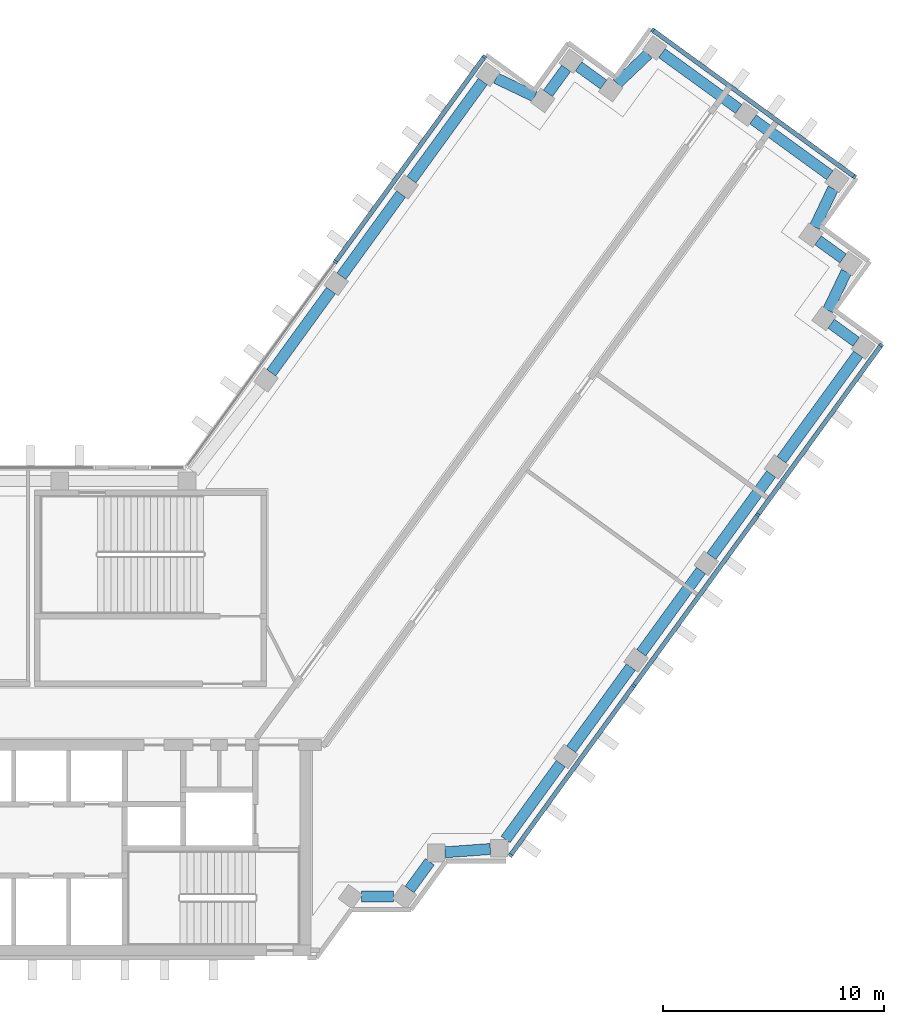
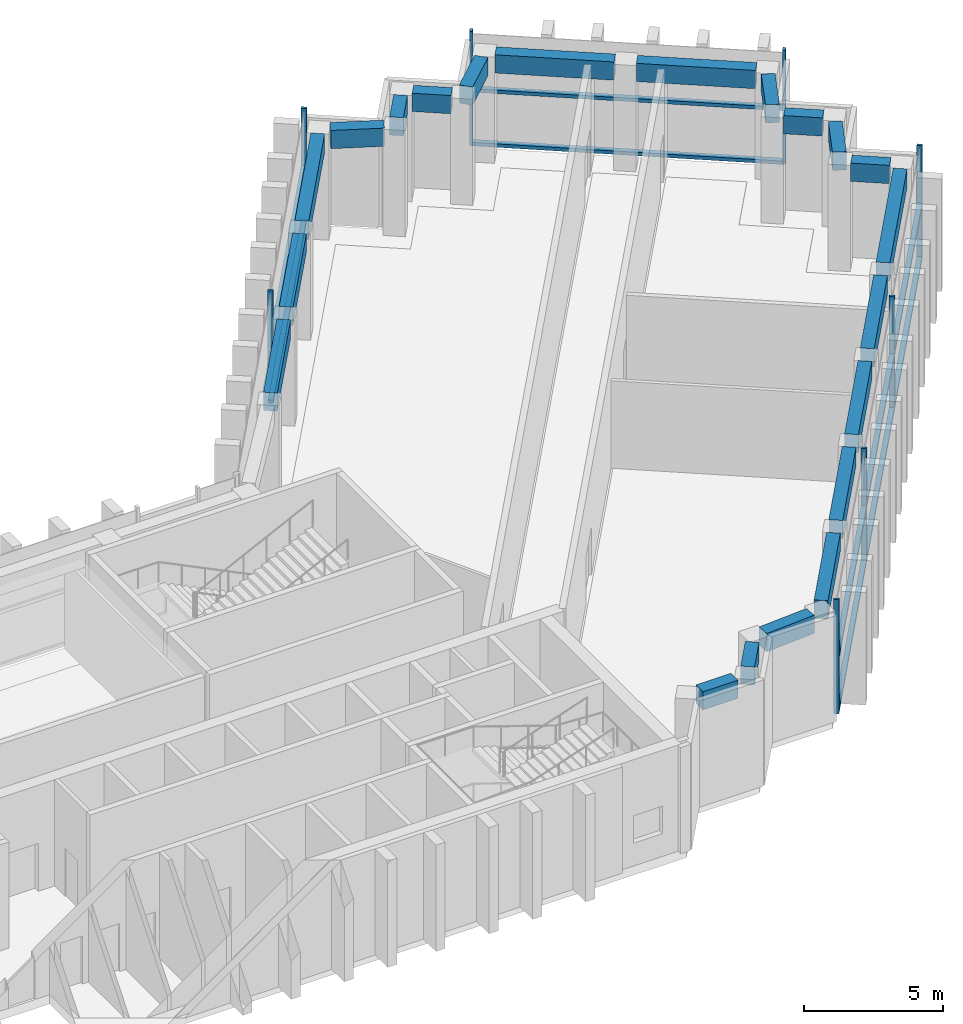
# One storey, part 5 of 14: 21 beams, 18 members, 3 elements without a shape of their own.
"""IFC4 building model written with IfcOpenShell, lengths in metres."""

from ifc_helpers import new_model, si_unit, direction, frame, origin, origin_2d, place, context, subcontext, project, spatial, rectangle, extrude, material, material_profile, profile_set, type_object, element, aggregate, save


model = new_model("IFC4")

# Units and contexts
model_context = context("Model", 3, precision=1e-05, world=origin(), true_north=direction((0.0, 1.0)))
body_context = subcontext(model_context, "Body", "Model", "MODEL_VIEW")
ifc_project = project(units=[si_unit("LENGTHUNIT", "METRE"), si_unit("AREAUNIT", "SQUARE_METRE"), si_unit("VOLUMEUNIT", "CUBIC_METRE"), si_unit("PLANEANGLEUNIT", "RADIAN"), si_unit("MASSUNIT", "GRAM", prefix="KILO")], contexts=[model_context])

# Site, building, storey
site_placement = place(None, origin())
site = spatial("IfcSite", under=ifc_project, at=site_placement, CompositionType="ELEMENT")
building_placement = place(site_placement, origin())
building = spatial("IfcBuilding", under=site, at=building_placement, Name="Quipu Civic Tower", CompositionType="ELEMENT")
storey_placement = place(building_placement, frame((0.0, 0.0, 139.0)))
storey = spatial("IfcBuildingStorey", under=building, at=storey_placement, Name="L32", CompositionType="ELEMENT", Elevation=139.0)

# Curtain wall, members
ifc_material_1 = material(Name="Insulated glass unit", Category="glass")
curtain_wall_type = type_object("IfcCurtainWallType", Name="Sky lobby and refuge curtain wall CW5", PredefinedType="NOTDEFINED", material=ifc_material_1)
curtain_wall_1_placement = place(storey_placement, origin())
curtain_wall_1 = element("IfcCurtainWall", 1, at=curtain_wall_1_placement, inside=storey, type_object=curtain_wall_type, Name="Sky lobby and refuge curtain wall CW5 L32 run 23", PredefinedType="NOTDEFINED")
ifc_material_2 = material(Name="Anodised aluminium", Category="aluminium")
ifc_material_profile_1 = material_profile(ifc_material_2, rectangle(XDim=0.199951171875, YDim=0.110107421875, at=origin_2d()), Name="RECT 200x110")
ifc_profile_set_1 = profile_set([ifc_material_profile_1], Name="Anodised aluminium")
member_type_1 = type_object("IfcMemberType", Name="Mullion CW5", PredefinedType="MULLION", material=ifc_profile_set_1)
member_1_placement = place(storey_placement, frame((29.038330078125, -6.4443359375, 0.074951171875), z_axis=(0.0, 0.0, 1.0), x_axis=(-0.80901667469, 0.5877856923, 0.0)))
member_1 = element("IfcMember", 2, at=member_1_placement, type_object=member_type_1, Name="CW5 mullion 1", PredefinedType="MULLION", context=body_context, shape_type="SweptSolid", body=[
    extrude(rectangle(XDim=0.199951171875, YDim=0.110107421875, at=origin_2d()), origin(), (0.0, 0.0, 1.0), 5.0),
])
member_2_placement = place(storey_placement, frame((34.620361328125, 1.23876953125, 0.074951171875), z_axis=(0.0, 0.0, 1.0), x_axis=(-0.80901667469, 0.5877856923, 0.0)))
member_2 = element("IfcMember", 3, at=member_2_placement, type_object=member_type_1, Name="CW5 mullion 2", PredefinedType="MULLION", context=body_context, shape_type="SweptSolid", body=[
    extrude(rectangle(XDim=0.199951171875, YDim=0.110107421875, at=origin_2d()), origin(), (0.0, 0.0, 1.0), 5.0),
])
member_3_placement = place(storey_placement, frame((40.23486328125, 8.966552734375, 0.074951171875), z_axis=(0.0, 0.0, 1.0), x_axis=(-0.80901667469, 0.5877856923, 0.0)))
member_3 = element("IfcMember", 4, at=member_3_placement, type_object=member_type_1, Name="CW5 mullion 3", PredefinedType="MULLION", context=body_context, shape_type="SweptSolid", body=[
    extrude(rectangle(XDim=0.199951171875, YDim=0.110107421875, at=origin_2d()), origin(), (0.0, 0.0, 1.0), 5.0),
])
member_4_placement = place(storey_placement, frame((45.817138671875, 16.64990234375, 0.074951171875), z_axis=(0.0, 0.0, 1.0), x_axis=(-0.80901667469, 0.5877856923, 0.0)))
member_4 = element("IfcMember", 5, at=member_4_placement, type_object=member_type_1, Name="CW5 mullion 4", PredefinedType="MULLION", context=body_context, shape_type="SweptSolid", body=[
    extrude(rectangle(XDim=0.199951171875, YDim=0.110107421875, at=origin_2d()), origin(), (0.0, 0.0, 1.0), 5.0),
])

curtain_wall_2_placement = place(storey_placement, origin())
curtain_wall_2 = element("IfcCurtainWall", 6, at=curtain_wall_2_placement, inside=storey, type_object=curtain_wall_type, Name="Sky lobby and refuge curtain wall CW5 L32 run 28", PredefinedType="NOTDEFINED")
member_5_placement = place(storey_placement, frame((44.6103515625, 24.26953125, 0.074951171875), z_axis=(0.0, 0.0, 1.0), x_axis=(-0.587787753918, -0.809015176832, 0.0)))
member_5 = element("IfcMember", 7, at=member_5_placement, type_object=member_type_1, Name="CW5 mullion 1", PredefinedType="MULLION", context=body_context, shape_type="SweptSolid", body=[
    extrude(rectangle(XDim=0.199951171875, YDim=0.110107421875, at=origin_2d()), origin(), (0.0, 0.0, 1.0), 5.0),
])
member_6_placement = place(storey_placement, frame((35.4765625, 30.905517578125, 0.074951171875), z_axis=(0.0, 0.0, 1.0), x_axis=(-0.587787753918, -0.809015176832, 0.0)))
member_6 = element("IfcMember", 8, at=member_6_placement, type_object=member_type_1, Name="CW5 mullion 2", PredefinedType="MULLION", context=body_context, shape_type="SweptSolid", body=[
    extrude(rectangle(XDim=0.199951171875, YDim=0.110107421875, at=origin_2d()), origin(), (0.0, 0.0, 1.0), 5.0),
])

curtain_wall_3_placement = place(storey_placement, origin())
curtain_wall_3 = element("IfcCurtainWall", 9, at=curtain_wall_3_placement, inside=storey, type_object=curtain_wall_type, Name="Sky lobby and refuge curtain wall CW5 L32 run 33", PredefinedType="NOTDEFINED")
member_7_placement = place(storey_placement, frame((27.857177734375, 29.69873046875, 0.074951171875), z_axis=(0.0, 0.0, 1.0), x_axis=(0.809014469803, -0.587788727052, 0.0)))
member_7 = element("IfcMember", 10, at=member_7_placement, type_object=member_type_1, Name="CW5 mullion 1", PredefinedType="MULLION", context=body_context, shape_type="SweptSolid", body=[
    extrude(rectangle(XDim=0.199951171875, YDim=0.110107421875, at=origin_2d()), origin(), (0.0, 0.0, 1.0), 5.0),
])
member_8_placement = place(storey_placement, frame((21.11669921875, 20.421630859375, 0.074951171875), z_axis=(0.0, 0.0, 1.0), x_axis=(0.809014469803, -0.587788727052, 0.0)))
member_8 = element("IfcMember", 11, at=member_8_placement, type_object=member_type_1, Name="CW5 mullion 2", PredefinedType="MULLION", context=body_context, shape_type="SweptSolid", body=[
    extrude(rectangle(XDim=0.199951171875, YDim=0.110107421875, at=origin_2d()), origin(), (0.0, 0.0, 1.0), 5.0),
])

# Beams
ifc_material_3 = material(Name="Concrete C50/60", Category="concrete")
ifc_material_profile_2 = material_profile(ifc_material_3, rectangle(XDim=0.5, YDim=0.800048828125, at=origin_2d()), Name="RC500x800")
ifc_profile_set_2 = profile_set([ifc_material_profile_2], Name="Concrete C50/60")
beam_type = type_object("IfcBeamType", Name="Spandrel beam RC 500x800 C50/60", PredefinedType="SPANDREL", material=ifc_profile_set_2)
beam_1_placement = place(storey_placement, frame((22.2861328125, -8.31494140625, 4.25), z_axis=(1.0, 0.0, 0.0), x_axis=(0.0, 1.0, 0.0)))
element("IfcBeam", 12, at=beam_1_placement, inside=storey, type_object=beam_type, Name="Spandrel beam L32 J-Eo.1 to J-Eo.2", PredefinedType="SPANDREL", context=body_context, shape_type="SweptSolid", body=[
    extrude(rectangle(XDim=0.5, YDim=0.800048828125, at=origin_2d()), origin(), (0.0, 0.0, 1.0), 1.454345703125),
])
beam_2_placement = place(storey_placement, frame((24.470458984375, -7.991455078125, 4.25), z_axis=(0.588405601119, 0.808565920981, 0.0), x_axis=(-0.808565920981, 0.588405601119, 0.0)))
element("IfcBeam", 13, at=beam_2_placement, inside=storey, type_object=beam_type, Name="Spandrel beam L32 J-Eo.2 to J-Eo.3", PredefinedType="SPANDREL", context=body_context, shape_type="SweptSolid", body=[
    extrude(rectangle(XDim=0.5, YDim=0.800048828125, at=origin_2d()), origin(), (0.0, 0.0, 1.0), 1.55126953125),
])
beam_3_placement = place(storey_placement, frame((26.074462890625, -6.307861328125, 4.25), z_axis=(0.997372997143, 0.072436900614, 0.0), x_axis=(-0.072436900614, 0.997372997143, 0.0)))
element("IfcBeam", 14, at=beam_3_placement, inside=storey, type_object=beam_type, Name="Spandrel beam L32 J-Eo.3 to J-Eo.4", PredefinedType="SPANDREL", context=body_context, shape_type="SweptSolid", body=[
    extrude(rectangle(XDim=0.5, YDim=0.800048828125, at=origin_2d()), origin(), (0.0, 0.0, 1.0), 2.055908203125),
])
beam_4_placement = place(storey_placement, frame((28.815673828125, -5.72998046875, 4.25), z_axis=(0.58776850526, 0.809029161541, 0.0), x_axis=(-0.809029161541, 0.58776850526, 0.0)))
element("IfcBeam", 15, at=beam_4_placement, inside=storey, type_object=beam_type, Name="Spandrel beam L32 J-Eo.4 to E-OUT-01", PredefinedType="SPANDREL", context=body_context, shape_type="SweptSolid", body=[
    extrude(rectangle(XDim=0.5, YDim=0.800048828125, at=origin_2d()), origin(), (0.0, 0.0, 1.0), 4.249267578125),
])
beam_5_placement = place(storey_placement, frame((31.783447265625, -1.64501953125, 4.25), z_axis=(0.587796098864, 0.809009113768, 0.0), x_axis=(-0.809009113768, 0.587796098864, 0.0)))
element("IfcBeam", 16, at=beam_5_placement, inside=storey, type_object=beam_type, Name="Spandrel beam L32 E-OUT-01 to E-OUT-02", PredefinedType="SPANDREL", context=body_context, shape_type="SweptSolid", body=[
    extrude(rectangle(XDim=0.5, YDim=0.800048828125, at=origin_2d()), origin(), (0.0, 0.0, 1.0), 4.60009765625),
])
beam_6_placement = place(storey_placement, frame((34.95751953125, 2.7236328125, 4.25), z_axis=(0.58776136044, 0.809034352283, 0.0), x_axis=(-0.809034352283, 0.58776136044, 0.0)))
element("IfcBeam", 17, at=beam_6_placement, inside=storey, type_object=beam_type, Name="Spandrel beam L32 E-OUT-02 to E-OUT-03", PredefinedType="SPANDREL", context=body_context, shape_type="SweptSolid", body=[
    extrude(rectangle(XDim=0.5, YDim=0.800048828125, at=origin_2d()), origin(), (0.0, 0.0, 1.0), 4.599853515625),
])
beam_7_placement = place(storey_placement, frame((38.13134765625, 7.09228515625, 4.25), z_axis=(0.587770861189, 0.809027449928, 0.0), x_axis=(-0.809027449928, 0.587770861189, 0.0)))
element("IfcBeam", 18, at=beam_7_placement, inside=storey, type_object=beam_type, Name="Spandrel beam L32 E-OUT-03 to E-OUT-04", PredefinedType="SPANDREL", context=body_context, shape_type="SweptSolid", body=[
    extrude(rectangle(XDim=0.5, YDim=0.800048828125, at=origin_2d()), origin(), (0.0, 0.0, 1.0), 4.60009765625),
])
beam_8_placement = place(storey_placement, frame((41.305419921875, 11.461181640625, 4.25), z_axis=(0.58780026889, 0.809006083965, 0.0), x_axis=(-0.809006083965, 0.58780026889, 0.0)))
element("IfcBeam", 19, at=beam_8_placement, inside=storey, type_object=beam_type, Name="Spandrel beam L32 E-OUT-04 to T-Eo.0-E34", PredefinedType="SPANDREL", context=body_context, shape_type="SweptSolid", body=[
    extrude(rectangle(XDim=0.5, YDim=0.800048828125, at=origin_2d()), origin(), (0.0, 0.0, 1.0), 5.902587890625),
])
beam_9_placement = place(storey_placement, frame((44.6865234375, 16.79541015625, 4.25), z_axis=(-0.808600329101, 0.588358315805, 0.0), x_axis=(-0.588358315805, -0.808600329101, 0.0)))
element("IfcBeam", 20, at=beam_9_placement, inside=storey, type_object=beam_type, Name="Spandrel beam L32 T-Eo.0-E34 to T-Eo.1-E34", PredefinedType="SPANDREL", context=body_context, shape_type="SweptSolid", body=[
    extrude(rectangle(XDim=0.5, YDim=0.800048828125, at=origin_2d()), origin(), (0.0, 0.0, 1.0), 1.400146484375),
])
beam_10_placement = place(storey_placement, frame((43.40625, 18.2216796875, 4.25), z_axis=(0.430785642718, 0.902454281406, 0.0), x_axis=(-0.902454281406, 0.430785642718, 0.0)))
element("IfcBeam", 21, at=beam_10_placement, inside=storey, type_object=beam_type, Name="Spandrel beam L32 T-Eo.1-E34 to T-Eo.2-E34", PredefinedType="SPANDREL", context=body_context, shape_type="SweptSolid", body=[
    extrude(rectangle(XDim=0.5, YDim=0.800048828125, at=origin_2d()), origin(), (0.0, 0.0, 1.0), 1.934814453125),
])
beam_11_placement = place(storey_placement, frame((44.09130859375, 20.56982421875, 4.25), z_axis=(-0.809467380413, 0.587164849125, 0.0), x_axis=(-0.587164849125, -0.809467380413, 0.0)))
element("IfcBeam", 22, at=beam_11_placement, inside=storey, type_object=beam_type, Name="Spandrel beam L32 T-Eo.2-E34 to T-Eo.3-E34", PredefinedType="SPANDREL", context=body_context, shape_type="SweptSolid", body=[
    extrude(rectangle(XDim=0.5, YDim=0.800048828125, at=origin_2d()), origin(), (0.0, 0.0, 1.0), 1.399169921875),
])
beam_12_placement = place(storey_placement, frame((42.809814453125, 21.99365234375, 4.25), z_axis=(0.429889421342, 0.902881545618, 0.0), x_axis=(-0.902881545618, 0.429889421342, 0.0)))
element("IfcBeam", 23, at=beam_12_placement, inside=storey, type_object=beam_type, Name="Spandrel beam L32 T-Eo.3-E34 to T-Eo.4-E34", PredefinedType="SPANDREL", context=body_context, shape_type="SweptSolid", body=[
    extrude(rectangle(XDim=0.5, YDim=0.800048828125, at=origin_2d()), origin(), (0.0, 0.0, 1.0), 1.931396484375),
])
beam_13_placement = place(storey_placement, frame((43.491455078125, 24.340087890625, 4.25), z_axis=(-0.808947267178, 0.587881211578, 0.0), x_axis=(-0.587881211578, -0.808947267178, 0.0)))
element("IfcBeam", 24, at=beam_13_placement, inside=storey, type_object=beam_type, Name="Spandrel beam L32 T-Eo.4-E34 to TIP-E-01-E34", PredefinedType="SPANDREL", context=body_context, shape_type="SweptSolid", body=[
    extrude(rectangle(XDim=0.5, YDim=0.800048828125, at=origin_2d()), origin(), (0.0, 0.0, 1.0), 4.29833984375),
])
beam_14_placement = place(storey_placement, frame((39.3671875, 27.337158203125, 4.25), z_axis=(-0.808983997561, 0.58783066583, 0.0), x_axis=(-0.58783066583, -0.808983997561, 0.0)))
element("IfcBeam", 25, at=beam_14_placement, inside=storey, type_object=beam_type, Name="Spandrel beam L32 TIP-E-01-E34 to T-Ei.0-E34", PredefinedType="SPANDREL", context=body_context, shape_type="SweptSolid", body=[
    extrude(rectangle(XDim=0.5, YDim=0.800048828125, at=origin_2d()), origin(), (0.0, 0.0, 1.0), 4.2998046875),
])
beam_15_placement = place(storey_placement, frame((35.27001953125, 29.81982421875, 4.25), z_axis=(-0.72519185421, -0.68854685722, 0.0), x_axis=(0.68854685722, -0.72519185421, 0.0)))
element("IfcBeam", 26, at=beam_15_placement, inside=storey, type_object=beam_type, Name="Spandrel beam L32 T-Ei.0-E34 to T-Ei.1-E34", PredefinedType="SPANDREL", context=body_context, shape_type="SweptSolid", body=[
    extrude(rectangle(XDim=0.5, YDim=0.800048828125, at=origin_2d()), origin(), (0.0, 0.0, 1.0), 1.93212890625),
])
beam_16_placement = place(storey_placement, frame((33.250244140625, 28.4443359375, 4.25), z_axis=(-0.80941533633, 0.587236590578, 0.0), x_axis=(-0.587236590578, -0.80941533633, 0.0)))
element("IfcBeam", 27, at=beam_16_placement, inside=storey, type_object=beam_type, Name="Spandrel beam L32 T-Ei.1-E34 to T-Ei.2-E34", PredefinedType="SPANDREL", context=body_context, shape_type="SweptSolid", body=[
    extrude(rectangle(XDim=0.5, YDim=0.800048828125, at=origin_2d()), origin(), (0.0, 0.0, 1.0), 1.397705078125),
])
beam_17_placement = place(storey_placement, frame((31.559326171875, 29.1767578125, 4.25), z_axis=(-0.589342949835, -0.80788296645, 0.0), x_axis=(0.80788296645, -0.589342949835, 0.0)))
element("IfcBeam", 28, at=beam_17_placement, inside=storey, type_object=beam_type, Name="Spandrel beam L32 T-Ei.2-E34 to T-Ei.3-E34", PredefinedType="SPANDREL", context=body_context, shape_type="SweptSolid", body=[
    extrude(rectangle(XDim=0.5, YDim=0.800048828125, at=origin_2d()), origin(), (0.0, 0.0, 1.0), 1.39990234375),
])
beam_18_placement = place(storey_placement, frame((30.131591796875, 27.89794921875, 4.25), z_axis=(-0.902584802379, 0.430512107279, 0.0), x_axis=(-0.430512107279, -0.902584802379, 0.0)))
element("IfcBeam", 29, at=beam_18_placement, inside=storey, type_object=beam_type, Name="Spandrel beam L32 T-Ei.3-E34 to T-Ei.4-E34", PredefinedType="SPANDREL", context=body_context, shape_type="SweptSolid", body=[
    extrude(rectangle(XDim=0.5, YDim=0.800048828125, at=origin_2d()), origin(), (0.0, 0.0, 1.0), 1.9326171875),
])
beam_19_placement = place(storey_placement, frame((27.784912109375, 28.581298828125, 4.25), z_axis=(-0.587664254196, -0.809104890815, 0.0), x_axis=(0.809104890815, -0.587664254196, 0.0)))
element("IfcBeam", 30, at=beam_19_placement, inside=storey, type_object=beam_type, Name="Spandrel beam L32 T-Ei.4-E34 to E-IN-03", PredefinedType="SPANDREL", context=body_context, shape_type="SweptSolid", body=[
    extrude(rectangle(XDim=0.5, YDim=0.800048828125, at=origin_2d()), origin(), (0.0, 0.0, 1.0), 5.493896484375),
])
beam_20_placement = place(storey_placement, frame((24.086181640625, 23.489013671875, 4.25), z_axis=(-0.587736122681, -0.809052686848, 0.0), x_axis=(0.809052686848, -0.587736122681, 0.0)))
element("IfcBeam", 31, at=beam_20_placement, inside=storey, type_object=beam_type, Name="Spandrel beam L32 E-IN-03 to E-IN-02", PredefinedType="SPANDREL", context=body_context, shape_type="SweptSolid", body=[
    extrude(rectangle(XDim=0.5, YDim=0.800048828125, at=origin_2d()), origin(), (0.0, 0.0, 1.0), 4.60009765625),
])
beam_21_placement = place(storey_placement, frame((20.912353515625, 19.1201171875, 4.25), z_axis=(-0.58776136044, -0.809034352283, 0.0), x_axis=(0.809034352283, -0.58776136044, 0.0)))
element("IfcBeam", 32, at=beam_21_placement, inside=storey, type_object=beam_type, Name="Spandrel beam L32 E-IN-02 to E-IN-01", PredefinedType="SPANDREL", context=body_context, shape_type="SweptSolid", body=[
    extrude(rectangle(XDim=0.5, YDim=0.800048828125, at=origin_2d()), origin(), (0.0, 0.0, 1.0), 4.599853515625),
])

# Member
ifc_material_4 = material(Name="Anodised aluminium", Category="aluminium")
ifc_material_profile_3 = material_profile(ifc_material_4, rectangle(XDim=0.199951171875, YDim=0.14990234375, at=origin_2d()), Name="RECT 200x150")
ifc_profile_set_3 = profile_set([ifc_material_profile_3], Name="Anodised aluminium")
member_type_2 = type_object("IfcMemberType", Name="Transom CW5", PredefinedType="USERDEFINED", material=ifc_profile_set_3)
member_9_placement = place(storey_placement, frame((29.070556640625, -6.39990234375, 0.14990234375), z_axis=(0.587788114206, 0.809014915066, 0.0), x_axis=(-0.809014915066, 0.587788114206, 0.0)))
member_9 = element("IfcMember", 33, at=member_9_placement, type_object=member_type_2, Name="CW5 transom 1.1", ObjectType="TRANSOM", PredefinedType="USERDEFINED", context=body_context, shape_type="SweptSolid", body=[
    extrude(rectangle(XDim=0.199951171875, YDim=0.14990234375, at=origin_2d()), origin(), (0.0, 0.0, 1.0), 9.386962890625),
])

member_10_placement = place(storey_placement, frame((29.070556640625, -6.39990234375, 2.5), z_axis=(0.587788114206, 0.809014915066, 0.0), x_axis=(-0.809014915066, 0.587788114206, 0.0)))
member_10 = element("IfcMember", 34, at=member_10_placement, type_object=member_type_2, Name="CW5 transom 1.2", ObjectType="TRANSOM", PredefinedType="USERDEFINED", context=body_context, shape_type="SweptSolid", body=[
    extrude(rectangle(XDim=0.199951171875, YDim=0.14990234375, at=origin_2d()), origin(), (0.0, 0.0, 1.0), 9.386962890625),
])

member_11_placement = place(storey_placement, frame((34.65283203125, 1.283447265625, 0.14990234375), z_axis=(0.587784192593, 0.809017764291, 0.0), x_axis=(-0.809017764291, 0.587784192593, 0.0)))
member_11 = element("IfcMember", 35, at=member_11_placement, type_object=member_type_2, Name="CW5 transom 2.1", ObjectType="TRANSOM", PredefinedType="USERDEFINED", context=body_context, shape_type="SweptSolid", body=[
    extrude(rectangle(XDim=0.199951171875, YDim=0.14990234375, at=origin_2d()), origin(), (0.0, 0.0, 1.0), 9.44189453125),
])

member_12_placement = place(storey_placement, frame((34.65283203125, 1.283447265625, 2.5), z_axis=(0.587784192593, 0.809017764291, 0.0), x_axis=(-0.809017764291, 0.587784192593, 0.0)))
member_12 = element("IfcMember", 36, at=member_12_placement, type_object=member_type_2, Name="CW5 transom 2.2", ObjectType="TRANSOM", PredefinedType="USERDEFINED", context=body_context, shape_type="SweptSolid", body=[
    extrude(rectangle(XDim=0.199951171875, YDim=0.14990234375, at=origin_2d()), origin(), (0.0, 0.0, 1.0), 9.44189453125),
])

member_13_placement = place(storey_placement, frame((40.267333984375, 9.010986328125, 0.14990234375), z_axis=(0.587788114206, 0.809014915066, 0.0), x_axis=(-0.809014915066, 0.587788114206, 0.0)))
member_13 = element("IfcMember", 37, at=member_13_placement, type_object=member_type_2, Name="CW5 transom 3.1", ObjectType="TRANSOM", PredefinedType="USERDEFINED", context=body_context, shape_type="SweptSolid", body=[
    extrude(rectangle(XDim=0.199951171875, YDim=0.14990234375, at=origin_2d()), origin(), (0.0, 0.0, 1.0), 9.386962890625),
])

member_14_placement = place(storey_placement, frame((40.267333984375, 9.010986328125, 2.5), z_axis=(0.587788114206, 0.809014915066, 0.0), x_axis=(-0.809014915066, 0.587788114206, 0.0)))
member_14 = element("IfcMember", 38, at=member_14_placement, type_object=member_type_2, Name="CW5 transom 3.2", ObjectType="TRANSOM", PredefinedType="USERDEFINED", context=body_context, shape_type="SweptSolid", body=[
    extrude(rectangle(XDim=0.199951171875, YDim=0.14990234375, at=origin_2d()), origin(), (0.0, 0.0, 1.0), 9.386962890625),
])

aggregate(curtain_wall_1, [member_1, member_2, member_3, member_4, member_9, member_10, member_11, member_12, member_13, member_14])

member_15_placement = place(storey_placement, frame((44.56591796875, 24.3017578125, 0.14990234375), z_axis=(-0.809016450014, 0.58778600154, 0.0), x_axis=(-0.58778600154, -0.809016450014, 0.0)))
member_15 = element("IfcMember", 39, at=member_15_placement, type_object=member_type_2, Name="CW5 transom 1.1", ObjectType="TRANSOM", PredefinedType="USERDEFINED", context=body_context, shape_type="SweptSolid", body=[
    extrude(rectangle(XDim=0.199951171875, YDim=0.14990234375, at=origin_2d()), origin(), (0.0, 0.0, 1.0), 11.18017578125),
])

member_16_placement = place(storey_placement, frame((44.56591796875, 24.3017578125, 2.5), z_axis=(-0.809016450014, 0.58778600154, 0.0), x_axis=(-0.58778600154, -0.809016450014, 0.0)))
member_16 = element("IfcMember", 40, at=member_16_placement, type_object=member_type_2, Name="CW5 transom 1.2", ObjectType="TRANSOM", PredefinedType="USERDEFINED", context=body_context, shape_type="SweptSolid", body=[
    extrude(rectangle(XDim=0.199951171875, YDim=0.14990234375, at=origin_2d()), origin(), (0.0, 0.0, 1.0), 11.18017578125),
])

aggregate(curtain_wall_2, [member_5, member_6, member_15, member_16])

member_17_placement = place(storey_placement, frame((27.82470703125, 29.654296875, 0.14990234375), z_axis=(-0.587779229881, -0.809021369878, 0.0), x_axis=(0.809021369878, -0.587779229881, 0.0)))
member_17 = element("IfcMember", 41, at=member_17_placement, type_object=member_type_2, Name="CW5 transom 1.1", ObjectType="TRANSOM", PredefinedType="USERDEFINED", context=body_context, shape_type="SweptSolid", body=[
    extrude(rectangle(XDim=0.199951171875, YDim=0.14990234375, at=origin_2d()), origin(), (0.0, 0.0, 1.0), 11.357177734375),
])

member_18_placement = place(storey_placement, frame((27.82470703125, 29.654296875, 2.5), z_axis=(-0.587779229881, -0.809021369878, 0.0), x_axis=(0.809021369878, -0.587779229881, 0.0)))
member_18 = element("IfcMember", 42, at=member_18_placement, type_object=member_type_2, Name="CW5 transom 1.2", ObjectType="TRANSOM", PredefinedType="USERDEFINED", context=body_context, shape_type="SweptSolid", body=[
    extrude(rectangle(XDim=0.199951171875, YDim=0.14990234375, at=origin_2d()), origin(), (0.0, 0.0, 1.0), 11.357177734375),
])

aggregate(curtain_wall_3, [member_7, member_8, member_17, member_18])

save(model, "model.ifc")
